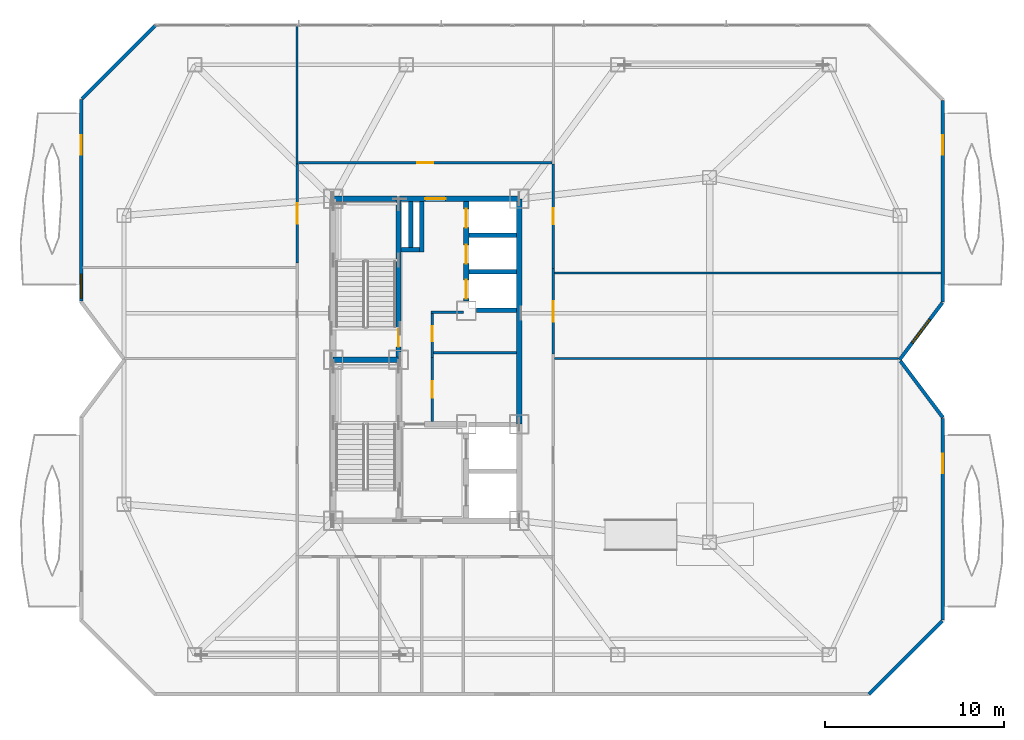
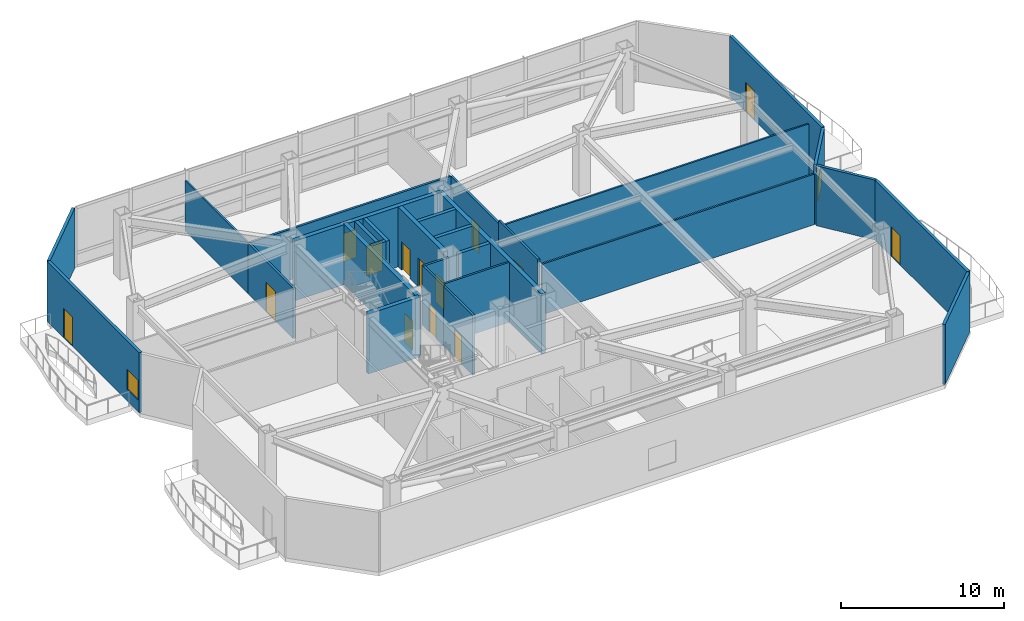
# One storey, part 11 of 16: 29 walls, 14 doors, 2 windows, 16 openings.
"""IFC4 building model written with IfcOpenShell, lengths in metres."""

from ifc_helpers import new_model, si_unit, direction, frame, frame_2d, origin, place, context, subcontext, project, spatial, rectangle, extrude, material, layer, layer_set, type_object, element, fill, save


model = new_model("IFC4")

# Units and contexts
model_context = context("Model", 3, precision=1e-05, world=origin(), true_north=direction((0.0, 1.0)))
body_context = subcontext(model_context, "Body", "Model", "MODEL_VIEW")
ifc_project = project(units=[si_unit("LENGTHUNIT", "METRE"), si_unit("AREAUNIT", "SQUARE_METRE"), si_unit("VOLUMEUNIT", "CUBIC_METRE"), si_unit("PLANEANGLEUNIT", "RADIAN"), si_unit("MASSUNIT", "GRAM", prefix="KILO")], contexts=[model_context])

# Site, building, storey
site_placement = place(None, origin())
site = spatial("IfcSite", under=ifc_project, at=site_placement, CompositionType="ELEMENT")
building_placement = place(site_placement, origin())
building = spatial("IfcBuilding", under=site, at=building_placement, Name="Khamvora Tower", CompositionType="ELEMENT")
storey_placement = place(building_placement, frame((0.0, 0.0, 207.0)))
storey = spatial("IfcBuildingStorey", under=building, at=storey_placement, Name="L53", CompositionType="ELEMENT", Elevation=207.0)

# Wall, opening, door
ifc_material_1 = material(Name="Concrete C50/60", Category="concrete")
ifc_layer_1 = layer(ifc_material_1, 0.300048828125)
ifc_layer_set_1 = layer_set([ifc_layer_1], Name="Concrete C50/60")
wall_type_1 = type_object("IfcWallType", Name="WAL-CORE-300", PredefinedType="SHEAR", material=ifc_layer_set_1)
wall_1_placement = place(storey_placement, frame((29.0, 37.0, 0.0), z_axis=(0.0, 0.0, 1.0), x_axis=(1.0, 0.0, 0.0)))
wall_1 = element("IfcWall", 1, at=wall_1_placement, inside=storey, type_object=wall_type_1, Name="L53 central core north wall", PredefinedType="SHEAR", context=body_context, shape_type="SweptSolid", body=[
    extrude(rectangle(XDim=10.39990234375, YDim=0.300048828125, at=frame_2d((5.199951171875, 0.0))), origin(), (0.0, 0.0, 1.0), 4.47998046875),
])
opening_1_placement = place(wall_1_placement, frame((5.139892578125, 0.0, 0.0)))
opening_1 = element("IfcOpeningElement", 2, at=opening_1_placement, cuts=wall_1, Name="Opening D-SC1", PredefinedType="OPENING", context=body_context, shape_type="SweptSolid", body=[
    extrude(rectangle(XDim=1.14990234375, YDim=2.199951171875, at=frame_2d((0.574951171875, 1.10009765625))), frame((0.0, 0.159912109375, 0.0), z_axis=(0.0, -1.0, 0.0), x_axis=(1.0, 0.0, 0.0)), (0.0, 0.0, 1.0), 0.320068359375),
])
ifc_material_2 = material(Name="Powder-Coated Steel and Hardwood Leaf", Category="steel")
door_type_1 = type_object("IfcDoorType", Name="DOR-SCHL-1150", OperationType="NOTDEFINED", PredefinedType="DOOR", material=ifc_material_2)
door_1_placement = place(opening_1_placement, origin())
door_1 = element("IfcDoor", 3, at=door_1_placement, inside=storey, type_object=door_type_1, Name="L53 north core lobby to corridor fire door", OperationType="SINGLE_SWING_LEFT", OverallHeight=2.199951171875, OverallWidth=1.14990234375, PredefinedType="DOOR", context=body_context, shape_type="SweptSolid", body=[
    extrude(rectangle(XDim=1.14990234375, YDim=2.199951171875, at=frame_2d((0.574951171875, 1.10009765625))), frame((0.0, 0.02490234375, 0.0), z_axis=(0.0, -1.0, 0.0), x_axis=(1.0, 0.0, 0.0)), (0.0, 0.0, 1.0), 0.050048828125),
])
fill(opening_1, door_1)

# Wall
wall_2_placement = place(storey_placement, frame((39.39990234375, 24.39990234375, 0.0), z_axis=(0.0, 0.0, 1.0), x_axis=(0.0, 1.0, 0.0)))
element("IfcWall", 4, at=wall_2_placement, inside=storey, type_object=wall_type_1, Name="L53 central core east north wall", PredefinedType="SHEAR", context=body_context, shape_type="SweptSolid", body=[
    extrude(rectangle(XDim=12.60009765625, YDim=0.300048828125, at=frame_2d((6.300048828125, 0.0))), origin(), (0.0, 0.0, 1.0), 4.47998046875),
])

# Wall, opening, door
wall_3_placement = place(storey_placement, frame((32.64990234375, 28.0, 0.0), z_axis=(0.0, 0.0, 1.0), x_axis=(0.0, 1.0, 0.0)))
wall_3 = element("IfcWall", 5, at=wall_3_placement, inside=storey, type_object=wall_type_1, Name="L53 central core stair north spine wall", PredefinedType="SHEAR", context=body_context, shape_type="SweptSolid", body=[
    extrude(rectangle(XDim=9.0, YDim=0.300048828125, at=frame_2d((4.5, 0.0))), origin(), (0.0, 0.0, 1.0), 4.47998046875),
])
opening_2_placement = place(wall_3_placement, frame((0.719970703125, 0.0, 0.0)))
opening_2 = element("IfcOpeningElement", 6, at=opening_2_placement, cuts=wall_3, Name="Opening D-ST1", PredefinedType="OPENING", context=body_context, shape_type="SweptSolid", body=[
    extrude(rectangle(XDim=1.0, YDim=2.14990234375, at=frame_2d((0.5, 1.074951171875))), frame((0.0, 0.159912109375, 0.0), z_axis=(0.0, -1.0, 0.0), x_axis=(1.0, 0.0, 0.0)), (0.0, 0.0, 1.0), 0.320068359375),
])
door_type_2 = type_object("IfcDoorType", Name="DOR-STAIR-1000", OperationType="NOTDEFINED", PredefinedType="DOOR", material=ifc_material_2)
door_2_placement = place(opening_2_placement, origin())
door_2 = element("IfcDoor", 7, at=door_2_placement, inside=storey, type_object=door_type_2, Name="L53 exit stair ST-02 fire door", OperationType="SINGLE_SWING_RIGHT", OverallHeight=2.14990234375, OverallWidth=1.0, PredefinedType="DOOR", context=body_context, shape_type="SweptSolid", body=[
    extrude(rectangle(XDim=1.0, YDim=2.14990234375, at=frame_2d((0.5, 1.074951171875))), frame((0.0, 0.02490234375, 0.0), z_axis=(0.0, -1.0, 0.0), x_axis=(1.0, 0.0, 0.0)), (0.0, 0.0, 1.0), 0.050048828125),
])
fill(opening_2, door_2)

# Wall
wall_4_placement = place(storey_placement, frame((29.0, 28.0, 0.0), z_axis=(0.0, 0.0, 1.0), x_axis=(1.0, 0.0, 0.0)))
element("IfcWall", 8, at=wall_4_placement, inside=storey, type_object=wall_type_1, Name="L53 central core stair cross wall", PredefinedType="SHEAR", context=body_context, shape_type="SweptSolid", body=[
    extrude(rectangle(XDim=3.64990234375, YDim=0.300048828125, at=frame_2d((1.824951171875, 0.0))), origin(), (0.0, 0.0, 1.0), 4.47998046875),
])

# Wall, openings, doors
wall_5_placement = place(storey_placement, frame((36.449951171875, 31.300048828125, 0.0), z_axis=(0.0, 0.0, 1.0), x_axis=(0.0, 1.0, 0.0)))
wall_5 = element("IfcWall", 9, at=wall_5_placement, inside=storey, type_object=wall_type_1, Name="L53 central core lift bank central wall", PredefinedType="SHEAR", context=body_context, shape_type="SweptSolid", body=[
    extrude(rectangle(XDim=5.5458984375, YDim=0.300048828125, at=frame_2d((2.77294921875, 0.0))), origin(), (0.0, 0.0, 1.0), 4.47998046875),
])
opening_3_placement = place(wall_5_placement, frame((0.1201171875, 0.0, 0.0)))
opening_3 = element("IfcOpeningElement", 10, at=opening_3_placement, cuts=wall_5, Name="Opening LD-PL", PredefinedType="OPENING", context=body_context, shape_type="SweptSolid", body=[
    extrude(rectangle(XDim=1.050048828125, YDim=2.14990234375, at=frame_2d((0.52490234375, 1.074951171875))), frame((0.0, 0.159912109375, 0.0), z_axis=(0.0, -1.0, 0.0), x_axis=(1.0, 0.0, 0.0)), (0.0, 0.0, 1.0), 0.320068359375),
])
opening_4_placement = place(wall_5_placement, frame((2.074951171875, 0.0, 0.0)))
opening_4 = element("IfcOpeningElement", 11, at=opening_4_placement, cuts=wall_5, Name="Opening LD-PL", PredefinedType="OPENING", context=body_context, shape_type="SweptSolid", body=[
    extrude(rectangle(XDim=1.050048828125, YDim=2.14990234375, at=frame_2d((0.52490234375, 1.074951171875))), frame((0.0, 0.159912109375, 0.0), z_axis=(0.0, -1.0, 0.0), x_axis=(1.0, 0.0, 0.0)), (0.0, 0.0, 1.0), 0.320068359375),
])
opening_5_placement = place(wall_5_placement, frame((4.094970703125, 0.0, 0.0)))
opening_5 = element("IfcOpeningElement", 12, at=opening_5_placement, cuts=wall_5, Name="Opening LD-PL", PredefinedType="OPENING", context=body_context, shape_type="SweptSolid", body=[
    extrude(rectangle(XDim=1.050048828125, YDim=2.14990234375, at=frame_2d((0.52490234375, 1.074951171875))), frame((0.0, 0.159912109375, 0.0), z_axis=(0.0, -1.0, 0.0), x_axis=(1.0, 0.0, 0.0)), (0.0, 0.0, 1.0), 0.320068359375),
])
door_type_3 = type_object("IfcDoorType", Name="DOR-LIFT-1050", OperationType="SLIDING_TO_LEFT", PredefinedType="DOOR", material=ifc_material_2)
door_3_placement = place(opening_3_placement, origin())
door_3 = element("IfcDoor", 13, at=door_3_placement, inside=storey, type_object=door_type_3, Name="L53 lift landing sliding door PH-01", OperationType="SLIDING_TO_LEFT", OverallHeight=2.14990234375, OverallWidth=1.050048828125, PredefinedType="DOOR", context=body_context, shape_type="SweptSolid", body=[
    extrude(rectangle(XDim=1.050048828125, YDim=2.14990234375, at=frame_2d((0.52490234375, 1.074951171875))), frame((0.0, 0.02490234375, 0.0), z_axis=(0.0, -1.0, 0.0), x_axis=(1.0, 0.0, 0.0)), (0.0, 0.0, 1.0), 0.050048828125),
])
fill(opening_3, door_3)
door_4_placement = place(opening_4_placement, origin())
door_4 = element("IfcDoor", 14, at=door_4_placement, inside=storey, type_object=door_type_3, Name="L53 lift landing sliding door PH-02", OperationType="SLIDING_TO_LEFT", OverallHeight=2.14990234375, OverallWidth=1.050048828125, PredefinedType="DOOR", context=body_context, shape_type="SweptSolid", body=[
    extrude(rectangle(XDim=1.050048828125, YDim=2.14990234375, at=frame_2d((0.52490234375, 1.074951171875))), frame((0.0, 0.02490234375, 0.0), z_axis=(0.0, -1.0, 0.0), x_axis=(1.0, 0.0, 0.0)), (0.0, 0.0, 1.0), 0.050048828125),
])
fill(opening_4, door_4)
door_5_placement = place(opening_5_placement, origin())
door_5 = element("IfcDoor", 15, at=door_5_placement, inside=storey, type_object=door_type_3, Name="L53 lift landing sliding door PH-03", OperationType="SLIDING_TO_LEFT", OverallHeight=2.14990234375, OverallWidth=1.050048828125, PredefinedType="DOOR", context=body_context, shape_type="SweptSolid", body=[
    extrude(rectangle(XDim=1.050048828125, YDim=2.14990234375, at=frame_2d((0.52490234375, 1.074951171875))), frame((0.0, 0.02490234375, 0.0), z_axis=(0.0, -1.0, 0.0), x_axis=(1.0, 0.0, 0.0)), (0.0, 0.0, 1.0), 0.050048828125),
])
fill(opening_5, door_5)

# Wall
ifc_material_3 = material(Name="Fire-Rated Drywall and Steel Stud", Category="steel")
ifc_layer_2 = layer(ifc_material_3, 0.14990234375)
ifc_layer_set_2 = layer_set([ifc_layer_2], Name="Fire-Rated Drywall and Steel Stud")
wall_type_2 = type_object("IfcWallType", Name="WAL-CORR-150", PredefinedType="STANDARD", material=ifc_layer_set_2)
wall_6_placement = place(storey_placement, frame((36.300048828125, 30.6650390625, 0.0), z_axis=(0.0, 0.0, 1.0), x_axis=(-1.0, 0.0, 0.0)))
element("IfcWall", 16, at=wall_6_placement, inside=storey, type_object=wall_type_2, Name="L53 interior partition wall 001", PredefinedType="STANDARD", context=body_context, shape_type="SweptSolid", body=[
    extrude(rectangle(XDim=1.820068359375, YDim=0.14990234375, at=frame_2d((0.91015625, 0.0))), origin(), (0.0, 0.0, 1.0), 4.47998046875),
])

# Wall, opening, door
wall_7_placement = place(storey_placement, frame((34.544921875, 30.72998046875, 0.0), z_axis=(0.0, 0.0, 1.0), x_axis=(0.0, -1.0, 0.0)))
wall_7 = element("IfcWall", 17, at=wall_7_placement, inside=storey, type_object=wall_type_2, Name="L53 interior partition wall 002", PredefinedType="STANDARD", context=body_context, shape_type="SweptSolid", body=[
    extrude(rectangle(XDim=2.593994140625, YDim=0.14990234375, at=frame_2d((1.296875, 0.0))), origin(), (0.0, 0.0, 1.0), 4.47998046875),
])
opening_6_placement = place(wall_7_placement, frame((0.85107421875, 0.0, 0.0)))
opening_6 = element("IfcOpeningElement", 18, at=opening_6_placement, cuts=wall_7, Name="Opening D-WC1", PredefinedType="OPENING", context=body_context, shape_type="SweptSolid", body=[
    extrude(rectangle(XDim=0.85009765625, YDim=2.10009765625, at=frame_2d((0.425048828125, 1.050048828125))), frame((0.0, 0.0849609375, 0.0), z_axis=(0.0, -1.0, 0.0), x_axis=(1.0, 0.0, 0.0)), (0.0, 0.0, 1.0), 0.169921875),
])
door_type_4 = type_object("IfcDoorType", Name="DOR-WET-850", OperationType="NOTDEFINED", PredefinedType="DOOR", material=ifc_material_2)
door_6_placement = place(opening_6_placement, origin())
door_6 = element("IfcDoor", 19, at=door_6_placement, inside=storey, type_object=door_type_4, Name="L53 interior door PHL-CS1", OperationType="SINGLE_SWING_RIGHT", OverallHeight=2.10009765625, OverallWidth=0.85009765625, PredefinedType="DOOR", context=body_context, shape_type="SweptSolid", body=[
    extrude(rectangle(XDim=0.85009765625, YDim=2.10009765625, at=frame_2d((0.425048828125, 1.050048828125))), frame((0.0, 0.02490234375, 0.0), z_axis=(0.0, -1.0, 0.0), x_axis=(1.0, 0.0, 0.0)), (0.0, 0.0, 1.0), 0.050048828125),
])
fill(opening_6, door_6)

wall_8_placement = place(storey_placement, frame((34.544921875, 28.135986328125, 0.0), z_axis=(0.0, 0.0, 1.0), x_axis=(0.0, -1.0, 0.0)))
wall_8 = element("IfcWall", 20, at=wall_8_placement, inside=storey, type_object=wall_type_2, Name="L53 interior partition wall 003", PredefinedType="STANDARD", context=body_context, shape_type="SweptSolid", body=[
    extrude(rectangle(XDim=3.592041015625, YDim=0.14990234375, at=frame_2d((1.7958984375, 0.0))), origin(), (0.0, 0.0, 1.0), 4.47998046875),
])
opening_7_placement = place(wall_8_placement, frame((1.345947265625, 0.0, 0.0)))
opening_7 = element("IfcOpeningElement", 21, at=opening_7_placement, cuts=wall_8, Name="Opening D-RM1", PredefinedType="OPENING", context=body_context, shape_type="SweptSolid", body=[
    extrude(rectangle(XDim=0.89990234375, YDim=2.10009765625, at=frame_2d((0.449951171875, 1.050048828125))), frame((0.0, 0.0849609375, 0.0), z_axis=(0.0, -1.0, 0.0), x_axis=(1.0, 0.0, 0.0)), (0.0, 0.0, 1.0), 0.169921875),
])
door_type_5 = type_object("IfcDoorType", Name="DOR-ROOM-900", OperationType="NOTDEFINED", PredefinedType="DOOR", material=ifc_material_2)
door_7_placement = place(opening_7_placement, origin())
door_7 = element("IfcDoor", 22, at=door_7_placement, inside=storey, type_object=door_type_5, Name="L53 interior door PHL-CS2", OperationType="SINGLE_SWING_LEFT", OverallHeight=2.10009765625, OverallWidth=0.89990234375, PredefinedType="DOOR", context=body_context, shape_type="SweptSolid", body=[
    extrude(rectangle(XDim=0.89990234375, YDim=2.10009765625, at=frame_2d((0.449951171875, 1.050048828125))), frame((0.0, 0.02490234375, 0.0), z_axis=(0.0, -1.0, 0.0), x_axis=(1.0, 0.0, 0.0)), (0.0, 0.0, 1.0), 0.050048828125),
])
fill(opening_7, door_7)

wall_9_placement = place(storey_placement, frame((26.985107421875, 33.4140625, 0.0), z_axis=(0.0, 0.0, 1.0), x_axis=(0.0, 1.0, 0.0)))
wall_9 = element("IfcWall", 23, at=wall_9_placement, inside=storey, type_object=wall_type_2, Name="L53 interior partition wall 008", PredefinedType="STANDARD", context=body_context, shape_type="SweptSolid", body=[
    extrude(rectangle(XDim=5.535888671875, YDim=0.14990234375, at=frame_2d((2.76806640625, 0.0))), origin(), (0.0, 0.0, 1.0), 3.77490234375),
])
opening_8_placement = place(wall_9_placement, frame((2.193115234375, 0.0, 0.0)))
opening_8 = element("IfcOpeningElement", 24, at=opening_8_placement, cuts=wall_9, Name="Opening D-SC1", PredefinedType="OPENING", context=body_context, shape_type="SweptSolid", body=[
    extrude(rectangle(XDim=1.14990234375, YDim=2.199951171875, at=frame_2d((0.574951171875, 1.10009765625))), frame((0.0, 0.0849609375, 0.0), z_axis=(0.0, -1.0, 0.0), x_axis=(1.0, 0.0, 0.0)), (0.0, 0.0, 1.0), 0.169921875),
])
door_8_placement = place(opening_8_placement, origin())
door_8 = element("IfcDoor", 25, at=door_8_placement, inside=storey, type_object=door_type_1, Name="L53 interior door ACOR-SLIB", OperationType="SINGLE_SWING_LEFT", OverallHeight=2.199951171875, OverallWidth=1.14990234375, PredefinedType="DOOR", context=body_context, shape_type="SweptSolid", body=[
    extrude(rectangle(XDim=1.14990234375, YDim=2.199951171875, at=frame_2d((0.574951171875, 1.10009765625))), frame((0.0, 0.02490234375, 0.0), z_axis=(0.0, -1.0, 0.0), x_axis=(1.0, 0.0, 0.0)), (0.0, 0.0, 1.0), 0.050048828125),
])
fill(opening_8, door_8)

wall_10_placement = place(storey_placement, frame((41.31494140625, 33.114013671875, 0.0), z_axis=(0.0, 0.0, 1.0), x_axis=(0.0, -1.0, 0.0)))
wall_10 = element("IfcWall", 26, at=wall_10_placement, inside=storey, type_object=wall_type_2, Name="L53 interior partition wall 009", PredefinedType="STANDARD", context=body_context, shape_type="SweptSolid", body=[
    extrude(rectangle(XDim=4.800048828125, YDim=0.14990234375, at=frame_2d((2.39990234375, 0.0))), origin(), (0.0, 0.0, 1.0), 4.007080078125),
])
opening_9_placement = place(wall_10_placement, frame((1.845947265625, 0.0, 0.0)))
opening_9 = element("IfcOpeningElement", 27, at=opening_9_placement, cuts=wall_10, Name="Opening D-SC1", PredefinedType="OPENING", context=body_context, shape_type="SweptSolid", body=[
    extrude(rectangle(XDim=1.14990234375, YDim=2.199951171875, at=frame_2d((0.574951171875, 1.10009765625))), frame((0.0, 0.0849609375, 0.0), z_axis=(0.0, -1.0, 0.0), x_axis=(1.0, 0.0, 0.0)), (0.0, 0.0, 1.0), 0.169921875),
])
door_9_placement = place(opening_9_placement, origin())
door_9 = element("IfcDoor", 28, at=door_9_placement, inside=storey, type_object=door_type_1, Name="L53 interior door ACOR-DIN", OperationType="SINGLE_SWING_RIGHT", OverallHeight=2.199951171875, OverallWidth=1.14990234375, PredefinedType="DOOR", context=body_context, shape_type="SweptSolid", body=[
    extrude(rectangle(XDim=1.14990234375, YDim=2.199951171875, at=frame_2d((0.574951171875, 1.10009765625))), frame((0.0, 0.02490234375, 0.0), z_axis=(0.0, -1.0, 0.0), x_axis=(1.0, 0.0, 0.0)), (0.0, 0.0, 1.0), 0.050048828125),
])
fill(opening_9, door_9)

wall_11_placement = place(storey_placement, frame((41.31494140625, 38.949951171875, 0.0), z_axis=(0.0, 0.0, 1.0), x_axis=(0.0, -1.0, 0.0)))
wall_11 = element("IfcWall", 29, at=wall_11_placement, inside=storey, type_object=wall_type_2, Name="L53 interior partition wall 010", PredefinedType="STANDARD", context=body_context, shape_type="SweptSolid", body=[
    extrude(rectangle(XDim=5.8359375, YDim=0.14990234375, at=frame_2d((2.91796875, 0.0))), origin(), (0.0, 0.0, 1.0), 3.77490234375),
])
opening_10_placement = place(wall_11_placement, frame((2.468017578125, 0.0, 0.0)))
opening_10 = element("IfcOpeningElement", 30, at=opening_10_placement, cuts=wall_11, Name="Opening D-RM1", PredefinedType="OPENING", context=body_context, shape_type="SweptSolid", body=[
    extrude(rectangle(XDim=0.89990234375, YDim=2.10009765625, at=frame_2d((0.449951171875, 1.050048828125))), frame((0.0, 0.0849609375, 0.0), z_axis=(0.0, -1.0, 0.0), x_axis=(1.0, 0.0, 0.0)), (0.0, 0.0, 1.0), 0.169921875),
])
door_10_placement = place(opening_10_placement, origin())
door_10 = element("IfcDoor", 31, at=door_10_placement, inside=storey, type_object=door_type_5, Name="L53 interior door ACOR-BOTN", OperationType="SINGLE_SWING_LEFT", OverallHeight=2.10009765625, OverallWidth=0.89990234375, PredefinedType="DOOR", context=body_context, shape_type="SweptSolid", body=[
    extrude(rectangle(XDim=0.89990234375, YDim=2.10009765625, at=frame_2d((0.449951171875, 1.050048828125))), frame((0.0, 0.02490234375, 0.0), z_axis=(0.0, -1.0, 0.0), x_axis=(1.0, 0.0, 0.0)), (0.0, 0.0, 1.0), 0.050048828125),
])
fill(opening_10, door_10)

wall_12_placement = place(storey_placement, frame((27.050048828125, 39.014892578125, 0.0), z_axis=(0.0, 0.0, 1.0), x_axis=(1.0, 0.0, 0.0)))
wall_12 = element("IfcWall", 32, at=wall_12_placement, inside=storey, type_object=wall_type_2, Name="L53 interior partition wall 016", PredefinedType="STANDARD", context=body_context, shape_type="SweptSolid", body=[
    extrude(rectangle(XDim=14.199951171875, YDim=0.14990234375, at=frame_2d((7.10009765625, 0.0))), origin(), (0.0, 0.0, 1.0), 3.77490234375),
])
opening_11_placement = place(wall_12_placement, frame((6.64990234375, 0.0, 0.0)))
opening_11 = element("IfcOpeningElement", 33, at=opening_11_placement, cuts=wall_12, Name="Opening D-RM1", PredefinedType="OPENING", context=body_context, shape_type="SweptSolid", body=[
    extrude(rectangle(XDim=0.89990234375, YDim=2.10009765625, at=frame_2d((0.449951171875, 1.050048828125))), frame((0.0, 0.0849609375, 0.0), z_axis=(0.0, -1.0, 0.0), x_axis=(1.0, 0.0, 0.0)), (0.0, 0.0, 1.0), 0.169921875),
])
door_11_placement = place(opening_11_placement, origin())
door_11 = element("IfcDoor", 34, at=door_11_placement, inside=storey, type_object=door_type_5, Name="L53 interior door ACOR-ASTR", OperationType="SINGLE_SWING_LEFT", OverallHeight=2.10009765625, OverallWidth=0.89990234375, PredefinedType="DOOR", context=body_context, shape_type="SweptSolid", body=[
    extrude(rectangle(XDim=0.89990234375, YDim=2.10009765625, at=frame_2d((0.449951171875, 1.050048828125))), frame((0.0, 0.02490234375, 0.0), z_axis=(0.0, -1.0, 0.0), x_axis=(1.0, 0.0, 0.0)), (0.0, 0.0, 1.0), 0.050048828125),
])
fill(opening_11, door_11)

# Wall, openings, door, window
ifc_material_4 = material(Name="Precast concrete C40/50", Category="concrete")
ifc_layer_3 = layer(ifc_material_4, 0.199951171875)
ifc_layer_set_3 = layer_set([ifc_layer_3], Name="Precast concrete C40/50")
wall_type_3 = type_object("IfcWallType", Name="WAL-EXT-200", PredefinedType="STANDARD", material=ifc_layer_set_3)
wall_13_placement = place(storey_placement, frame((14.89990234375, 31.283935546875, 0.0), z_axis=(0.0, 0.0, 1.0), x_axis=(0.0, 1.0, 0.0)))
wall_13 = element("IfcWall", 35, at=wall_13_placement, inside=storey, type_object=wall_type_3, Name="L53 exterior facade wall 05.1", PredefinedType="STANDARD", context=body_context, shape_type="SweptSolid", body=[
    extrude(rectangle(XDim=11.275146484375, YDim=0.199951171875, at=frame_2d((5.6376953125, 0.0))), origin(), (0.0, 0.0, 1.0), 4.47998046875),
])
opening_12_placement = place(wall_13_placement, frame((8.175048828125, 0.0, 0.0)))
opening_12 = element("IfcOpeningElement", 36, at=opening_12_placement, cuts=wall_13, Name="Opening BD-01", PredefinedType="OPENING", context=body_context, shape_type="SweptSolid", body=[
    extrude(rectangle(XDim=1.10009765625, YDim=2.199951171875, at=frame_2d((0.550048828125, 1.10009765625))), frame((0.0, 0.10986328125, 0.0), z_axis=(0.0, -1.0, 0.0), x_axis=(1.0, 0.0, 0.0)), (0.0, 0.0, 1.0), 0.219970703125),
])
opening_13_placement = place(wall_13_placement, frame((0.157958984375, 0.0, 0.85009765625)))
opening_13 = element("IfcOpeningElement", 37, at=opening_13_placement, cuts=wall_13, Name="Opening WN-07", PredefinedType="OPENING", context=body_context, shape_type="SweptSolid", body=[
    extrude(rectangle(XDim=1.35009765625, YDim=1.5, at=frame_2d((0.675048828125, 0.75))), frame((0.0, 0.10986328125, 0.0), z_axis=(0.0, -1.0, 0.0), x_axis=(1.0, 0.0, 0.0)), (0.0, 0.0, 1.0), 0.219970703125),
])
ifc_material_5 = material(Name="Anodised Aluminium and Laminated Safety Glass", Category="aluminium")
door_type_6 = type_object("IfcDoorType", Name="DOR-BAL-1100", OperationType="NOTDEFINED", PredefinedType="DOOR", material=ifc_material_5)
door_12_placement = place(opening_12_placement, origin())
door_12 = element("IfcDoor", 38, at=door_12_placement, inside=storey, type_object=door_type_6, Name="L53 lens gallery balcony door WL2", OperationType="SLIDING_TO_LEFT", OverallHeight=2.199951171875, OverallWidth=1.10009765625, PredefinedType="DOOR", context=body_context, shape_type="SweptSolid", body=[
    extrude(rectangle(XDim=1.10009765625, YDim=2.199951171875, at=frame_2d((0.550048828125, 1.10009765625))), frame((0.0, 0.02490234375, 0.0), z_axis=(0.0, -1.0, 0.0), x_axis=(1.0, 0.0, 0.0)), (0.0, 0.0, 1.0), 0.050048828125),
])
fill(opening_12, door_12)
ifc_material_6 = material(Name="Low-E Laminated Double Glazing", Category="glass")
window_type_1 = type_object("IfcWindowType", Name="WIN-VIS-1350x1500", PartitioningType="SINGLE_PANEL", PredefinedType="WINDOW", material=ifc_material_6)
window_1_placement = place(opening_13_placement, origin())
window_1 = element("IfcWindow", 39, at=window_1_placement, inside=storey, type_object=window_type_1, Name="L53 vision window 05.1.01", OverallHeight=1.5, OverallWidth=1.35009765625, PartitioningType="SINGLE_PANEL", PredefinedType="WINDOW", context=body_context, shape_type="SweptSolid", body=[
    extrude(rectangle(XDim=1.35009765625, YDim=1.5, at=frame_2d((0.675048828125, 0.75))), frame((0.0, 0.030029296875, 0.0), z_axis=(0.0, -1.0, 0.0), x_axis=(1.0, 0.0, 0.0)), (0.0, 0.0, 1.0), 0.06005859375),
])
fill(opening_13, window_1)

# Wall
wall_14_placement = place(storey_placement, frame((14.945068359375, 42.60400390625, 0.0), z_axis=(0.0, 0.0, 1.0), x_axis=(0.707106781187, 0.707106781187, 0.0)))
element("IfcWall", 40, at=wall_14_placement, inside=storey, type_object=wall_type_3, Name="L53 exterior facade wall 06.1", PredefinedType="STANDARD", context=body_context, shape_type="SweptSolid", body=[
    extrude(rectangle(XDim=5.79248046875, YDim=0.199951171875, at=frame_2d((2.896240234375, 0.0))), origin(), (0.0, 0.0, 1.0), 4.47998046875),
])

# Wall, opening, door
wall_15_placement = place(storey_placement, frame((63.10009765625, 42.49609375, 0.0), z_axis=(0.0, 0.0, 1.0), x_axis=(0.0, -1.0, 0.0)))
wall_15 = element("IfcWall", 41, at=wall_15_placement, inside=storey, type_object=wall_type_3, Name="L53 exterior facade wall 09.1", PredefinedType="STANDARD", context=body_context, shape_type="SweptSolid", body=[
    extrude(rectangle(XDim=11.26318359375, YDim=0.199951171875, at=frame_2d((5.631591796875, 0.0))), origin(), (0.0, 0.0, 1.0), 4.47998046875),
])
opening_14_placement = place(wall_15_placement, frame((1.93701171875, 0.0, 0.0)))
opening_14 = element("IfcOpeningElement", 42, at=opening_14_placement, cuts=wall_15, Name="Opening BD-01", PredefinedType="OPENING", context=body_context, shape_type="SweptSolid", body=[
    extrude(rectangle(XDim=1.10009765625, YDim=2.199951171875, at=frame_2d((0.550048828125, 1.10009765625))), frame((0.0, 0.10986328125, 0.0), z_axis=(0.0, -1.0, 0.0), x_axis=(1.0, 0.0, 0.0)), (0.0, 0.0, 1.0), 0.219970703125),
])
door_13_placement = place(opening_14_placement, origin())
door_13 = element("IfcDoor", 43, at=door_13_placement, inside=storey, type_object=door_type_6, Name="L53 lens gallery balcony door EL2", OperationType="SLIDING_TO_LEFT", OverallHeight=2.199951171875, OverallWidth=1.10009765625, PredefinedType="DOOR", context=body_context, shape_type="SweptSolid", body=[
    extrude(rectangle(XDim=1.10009765625, YDim=2.199951171875, at=frame_2d((0.550048828125, 1.10009765625))), frame((0.0, 0.02490234375, 0.0), z_axis=(0.0, -1.0, 0.0), x_axis=(1.0, 0.0, 0.0)), (0.0, 0.0, 1.0), 0.050048828125),
])
fill(opening_14, door_13)

# Wall, opening, window
wall_16_placement = place(storey_placement, frame((63.069091796875, 31.19091796875, 0.0), z_axis=(0.0, 0.0, 1.0), x_axis=(-0.600137081448, -0.799897170561, 0.0)))
wall_16 = element("IfcWall", 44, at=wall_16_placement, inside=storey, type_object=wall_type_3, Name="L53 exterior facade wall 10.1", PredefinedType="STANDARD", context=body_context, shape_type="SweptSolid", body=[
    extrude(rectangle(XDim=3.9892578125, YDim=0.199951171875, at=frame_2d((1.99462890625, 0.0))), origin(), (0.0, 0.0, 1.0), 4.47998046875),
])
opening_15_placement = place(wall_16_placement, frame((1.169921875, 0.0, 0.85009765625)))
opening_15 = element("IfcOpeningElement", 45, at=opening_15_placement, cuts=wall_16, Name="Opening WN-06", PredefinedType="OPENING", context=body_context, shape_type="SweptSolid", body=[
    extrude(rectangle(XDim=1.64990234375, YDim=1.550048828125, at=frame_2d((0.824951171875, 0.77490234375))), frame((0.0, 0.10986328125, 0.0), z_axis=(0.0, -1.0, 0.0), x_axis=(1.0, 0.0, 0.0)), (0.0, 0.0, 1.0), 0.219970703125),
])
window_type_2 = type_object("IfcWindowType", Name="WIN-VIS-1650x1550", PartitioningType="SINGLE_PANEL", PredefinedType="WINDOW", material=ifc_material_6)
window_2_placement = place(opening_15_placement, origin())
window_2 = element("IfcWindow", 46, at=window_2_placement, inside=storey, type_object=window_type_2, Name="L53 vision window 10.1.01", OverallHeight=1.550048828125, OverallWidth=1.64990234375, PartitioningType="SINGLE_PANEL", PredefinedType="WINDOW", context=body_context, shape_type="SweptSolid", body=[
    extrude(rectangle(XDim=1.64990234375, YDim=1.550048828125, at=frame_2d((0.824951171875, 0.77490234375))), frame((0.0, 0.030029296875, 0.0), z_axis=(0.0, -1.0, 0.0), x_axis=(1.0, 0.0, 0.0)), (0.0, 0.0, 1.0), 0.06005859375),
])
fill(opening_15, window_2)

# Wall
wall_17_placement = place(storey_placement, frame((60.72705078125, 27.930908203125, 0.0), z_axis=(0.0, 0.0, 1.0), x_axis=(0.600029630681, -0.799977776132, 0.0)))
element("IfcWall", 47, at=wall_17_placement, inside=storey, type_object=wall_type_3, Name="L53 exterior facade wall 11.1", PredefinedType="STANDARD", context=body_context, shape_type="SweptSolid", body=[
    extrude(rectangle(XDim=3.954833984375, YDim=0.199951171875, at=frame_2d((1.9775390625, 0.0))), origin(), (0.0, 0.0, 1.0), 4.47998046875),
])

# Wall, opening, door
wall_18_placement = place(storey_placement, frame((63.10009765625, 24.717041015625, 0.0), z_axis=(0.0, 0.0, 1.0), x_axis=(0.0, -1.0, 0.0)))
wall_18 = element("IfcWall", 48, at=wall_18_placement, inside=storey, type_object=wall_type_3, Name="L53 exterior facade wall 12.1", PredefinedType="STANDARD", context=body_context, shape_type="SweptSolid", body=[
    extrude(rectangle(XDim=11.276123046875, YDim=0.199951171875, at=frame_2d((5.63818359375, 0.0))), origin(), (0.0, 0.0, 1.0), 4.47998046875),
])
opening_16_placement = place(wall_18_placement, frame((1.967041015625, 0.0, 0.0)))
opening_16 = element("IfcOpeningElement", 49, at=opening_16_placement, cuts=wall_18, Name="Opening BD-01", PredefinedType="OPENING", context=body_context, shape_type="SweptSolid", body=[
    extrude(rectangle(XDim=1.10009765625, YDim=2.199951171875, at=frame_2d((0.550048828125, 1.10009765625))), frame((0.0, 0.10986328125, 0.0), z_axis=(0.0, -1.0, 0.0), x_axis=(1.0, 0.0, 0.0)), (0.0, 0.0, 1.0), 0.219970703125),
])
door_14_placement = place(opening_16_placement, origin())
door_14 = element("IfcDoor", 50, at=door_14_placement, inside=storey, type_object=door_type_6, Name="L53 lens gallery balcony door EL1", OperationType="SLIDING_TO_LEFT", OverallHeight=2.199951171875, OverallWidth=1.10009765625, PredefinedType="DOOR", context=body_context, shape_type="SweptSolid", body=[
    extrude(rectangle(XDim=1.10009765625, YDim=2.199951171875, at=frame_2d((0.550048828125, 1.10009765625))), frame((0.0, 0.02490234375, 0.0), z_axis=(0.0, -1.0, 0.0), x_axis=(1.0, 0.0, 0.0)), (0.0, 0.0, 1.0), 0.050048828125),
])
fill(opening_16, door_14)

# Walls
wall_19_placement = place(storey_placement, frame((63.056884765625, 13.39794921875, 0.0), z_axis=(0.0, 0.0, 1.0), x_axis=(-0.707106781187, -0.707106781187, 0.0)))
element("IfcWall", 51, at=wall_19_placement, inside=storey, type_object=wall_type_3, Name="L53 exterior facade wall 13.1", PredefinedType="STANDARD", context=body_context, shape_type="SweptSolid", body=[
    extrude(rectangle(XDim=5.79541015625, YDim=0.199951171875, at=frame_2d((2.897705078125, 0.0))), origin(), (0.0, 0.0, 1.0), 4.47998046875),
])
ifc_material_7 = material(Name="Gypsum Plasterboard Partition", Category="gypsum")
ifc_layer_4 = layer(ifc_material_7, 0.1201171875)
ifc_layer_set_4 = layer_set([ifc_layer_4], Name="Gypsum Plasterboard Partition")
wall_type_4 = type_object("IfcWallType", Name="WAL-PART-120", PredefinedType="PARTITIONING", material=ifc_layer_set_4)
wall_20_placement = place(storey_placement, frame((41.3798828125, 28.06494140625, 0.0), z_axis=(0.0, 0.0, 1.0), x_axis=(1.0, 0.0, 0.0)))
element("IfcWall", 52, at=wall_20_placement, inside=storey, type_object=wall_type_4, Name="L53 interior partition wall 017", PredefinedType="PARTITIONING", context=body_context, shape_type="SweptSolid", body=[
    extrude(rectangle(XDim=19.2451171875, YDim=0.1201171875, at=frame_2d((9.62255859375, 0.0))), origin(), (0.0, 0.0, 1.0), 3.77490234375),
])
wall_21_placement = place(storey_placement, frame((26.985107421875, 46.68994140625, 0.0), z_axis=(0.0, 0.0, 1.0), x_axis=(0.0, -1.0, 0.0)))
element("IfcWall", 53, at=wall_21_placement, inside=storey, type_object=wall_type_4, Name="L53 interior partition wall 022", PredefinedType="PARTITIONING", context=body_context, shape_type="SweptSolid", body=[
    extrude(rectangle(XDim=7.739990234375, YDim=0.1201171875, at=frame_2d((3.8701171875, 0.0))), origin(), (0.0, 0.0, 1.0), 3.77490234375),
])
wall_22_placement = place(storey_placement, frame((41.3798828125, 32.864990234375, 0.0), z_axis=(0.0, 0.0, 1.0), x_axis=(1.0, 0.0, 0.0)))
element("IfcWall", 54, at=wall_22_placement, inside=storey, type_object=wall_type_4, Name="L53 interior partition wall 023", PredefinedType="PARTITIONING", context=body_context, shape_type="SweptSolid", body=[
    extrude(rectangle(XDim=21.628173828125, YDim=0.1201171875, at=frame_2d((10.81396484375, 0.0))), origin(), (0.0, 0.0, 1.0), 3.77490234375),
])
ifc_material_8 = material(Name="Concrete C40/50", Category="concrete")
ifc_layer_5 = layer(ifc_material_8, 0.25)
ifc_layer_set_5 = layer_set([ifc_layer_5], Name="Concrete C40/50")
wall_type_5 = type_object("IfcWallType", Name="WAL-PODS-250", PredefinedType="SHEAR", material=ifc_layer_set_5)
wall_23_placement = place(storey_placement, frame((37.00390625, 30.77490234375, 0.0), z_axis=(0.0, 0.0, 1.0), x_axis=(1.0, 0.0, 0.0)))
element("IfcWall", 55, at=wall_23_placement, inside=storey, type_object=wall_type_5, Name="L53 high-rise lift shaft south enclosure wall PH-01", PredefinedType="SHEAR", context=body_context, shape_type="SweptSolid", body=[
    extrude(rectangle(XDim=2.2421875, YDim=0.25, at=frame_2d((1.12109375, 0.0))), origin(), (0.0, 0.0, 1.0), 4.47998046875),
])
for number, where, z_axis, x_axis, name in (
    (56, (36.60400390625, 32.925048828125, 0.0), (0.0, 0.0, 1.0), (1.0, 0.0, 0.0), "L53 lift shaft divider wall PH-01"),
    (57, (36.60400390625, 34.97509765625, 0.0), (0.0, 0.0, 1.0), (1.0, 0.0, 0.0), "L53 lift shaft divider wall PH-02"),
):
    element("IfcWall", number, at=place(storey_placement, frame(where, z_axis=z_axis, x_axis=x_axis)), inside=storey, type_object=wall_type_5, Name=name, PredefinedType="SHEAR", context=body_context, shape_type="SweptSolid", body=[
        extrude(rectangle(XDim=2.64208984375, YDim=0.25, at=frame_2d((1.321044921875, 0.0))), origin(), (0.0, 0.0, 1.0), 4.47998046875),
    ])
wall_24_placement = place(storey_placement, frame((33.955078125, 34.02490234375, 0.0), z_axis=(0.0, 0.0, 1.0), x_axis=(0.0, 1.0, 0.0)))
element("IfcWall", 58, at=wall_24_placement, inside=storey, type_object=wall_type_5, Name="L53 vertical MEP riser shaft east enclosure wall", PredefinedType="SHEAR", context=body_context, shape_type="SweptSolid", body=[
    extrude(rectangle(XDim=2.821044921875, YDim=0.25, at=frame_2d((1.41064453125, 0.0))), origin(), (0.0, 0.0, 1.0), 4.47998046875),
])
wall_25_placement = place(storey_placement, frame((32.803955078125, 34.14990234375, 0.0), z_axis=(0.0, 0.0, 1.0), x_axis=(1.0, 0.0, 0.0)))
element("IfcWall", 59, at=wall_25_placement, inside=storey, type_object=wall_type_5, Name="L53 vertical MEP riser shaft south enclosure wall", PredefinedType="SHEAR", context=body_context, shape_type="SweptSolid", body=[
    extrude(rectangle(XDim=1.02197265625, YDim=0.25, at=frame_2d((0.510986328125, 0.0))), origin(), (0.0, 0.0, 1.0), 4.47998046875),
])
wall_26_placement = place(storey_placement, frame((33.340087890625, 34.279052734375, 0.0), z_axis=(0.0, 0.0, 1.0), x_axis=(0.0, 1.0, 0.0)))
element("IfcWall", 60, at=wall_26_placement, inside=storey, type_object=wall_type_5, Name="L53 vertical MEP riser shaft divider enclosure wall", PredefinedType="SHEAR", context=body_context, shape_type="SweptSolid", body=[
    extrude(rectangle(XDim=2.56689453125, YDim=0.25, at=frame_2d((1.283447265625, 0.0))), origin(), (0.0, 0.0, 1.0), 4.47998046875),
])
ifc_material_9 = material(Name="Moisture-Resistant Plasterboard Partition", Category="gypsum")
ifc_layer_6 = layer(ifc_material_9, 0.135009765625)
ifc_layer_set_6 = layer_set([ifc_layer_6], Name="Moisture-Resistant Plasterboard Partition")
wall_type_6 = type_object("IfcWallType", Name="WAL-WET-135", PredefinedType="PARTITIONING", material=ifc_layer_set_6)
wall_27_placement = place(storey_placement, frame((39.256103515625, 28.385009765625, 0.0), z_axis=(0.0, 0.0, 1.0), x_axis=(-1.0, 0.0, 0.0)))
element("IfcWall", 61, at=wall_27_placement, inside=storey, type_object=wall_type_6, Name="L53 interior partition wall 004", PredefinedType="PARTITIONING", context=body_context, shape_type="SweptSolid", body=[
    extrude(rectangle(XDim=4.64404296875, YDim=0.135009765625, at=frame_2d((2.322021484375, 0.0))), origin(), (0.0, 0.0, 1.0), 4.47998046875),
])

save(model, "model.ifc")
